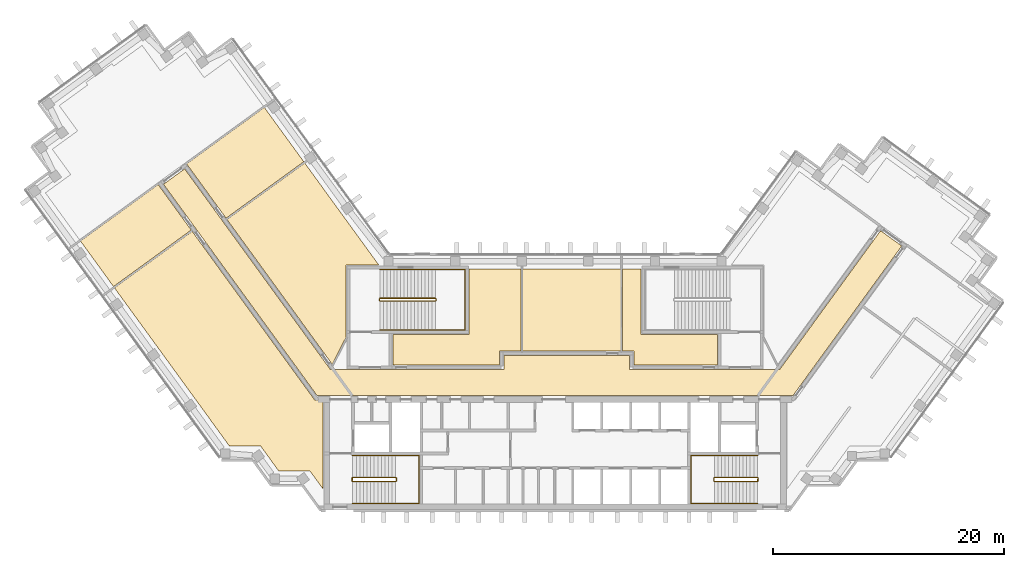
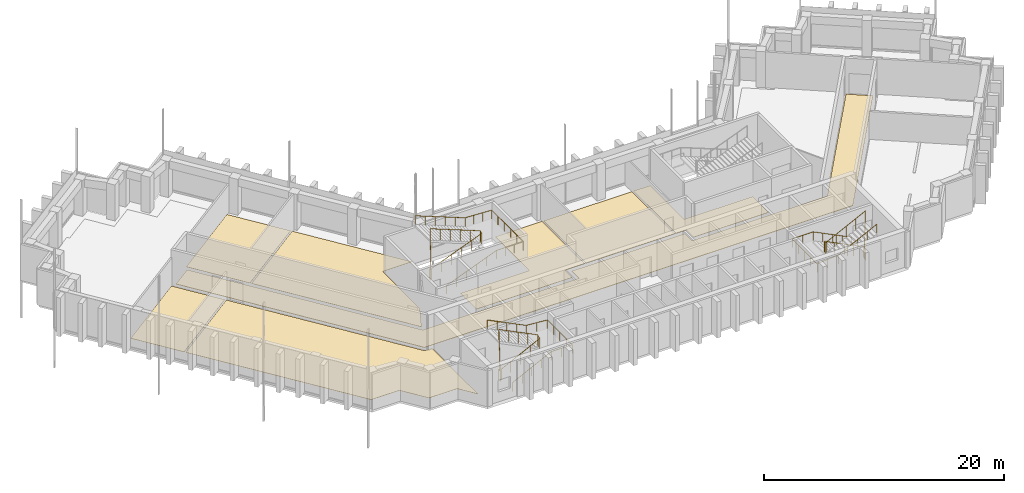
# One storey, part 11 of 12: 8 coverings, 6 railings.
"""IFC4 building model written with IfcOpenShell, lengths in metres."""

from ifc_helpers import new_model, si_unit, direction, frame, origin, origin_2d, place, context, subcontext, project, spatial, polyline, circle, outline, extrude, material, layer, layer_set, type_object, element, save


model = new_model("IFC4")

# Units and contexts
model_context = context("Model", 3, precision=1e-05, world=origin(), true_north=direction((0.0, 1.0)))
body_context = subcontext(model_context, "Body", "Model", "MODEL_VIEW")
ifc_project = project(units=[si_unit("LENGTHUNIT", "METRE"), si_unit("AREAUNIT", "SQUARE_METRE"), si_unit("VOLUMEUNIT", "CUBIC_METRE"), si_unit("PLANEANGLEUNIT", "RADIAN"), si_unit("MASSUNIT", "GRAM", prefix="KILO")], contexts=[model_context])

# Site, building, storey
site_placement = place(None, origin())
site = spatial("IfcSite", under=ifc_project, at=site_placement, CompositionType="ELEMENT")
building_placement = place(site_placement, origin())
building = spatial("IfcBuilding", under=site, at=building_placement, Name="Quipu Civic Tower", CompositionType="ELEMENT")
storey_placement = place(building_placement, frame((0.0, 0.0, 210.0)))
storey = spatial("IfcBuildingStorey", under=building, at=storey_placement, Name="L49", CompositionType="ELEMENT", Elevation=210.0)

# Coverings
ifc_material_1 = material(Name="Carpet tile on raised access floor")
ifc_layer_1 = layer(ifc_material_1, 0.02001953125)
ifc_layer_set_1 = layer_set([ifc_layer_1], Name="Carpet tile on raised access floor")
covering_type_1 = type_object("IfcCoveringType", Name="Carpet tile floor finish 20", PredefinedType="FLOORING", material=ifc_layer_set_1)
covering_1_placement = place(storey_placement, origin())
element("IfcCovering", 1, at=covering_1_placement, inside=storey, type_object=covering_type_1, Name="Carpet tile floor finish 20", PredefinedType="FLOORING", context=body_context, shape_type="SweptSolid", body=[
    extrude(outline(polyline([(-2.80908203125, 2.719970703125), (-2.80908203125, 9.830078125), (5.68798828125, 9.830078125), (5.68798828125, 2.719970703125), (-2.80908203125, 2.719970703125)])), origin(), (0.0, 0.0, 1.0), 0.02001953125),
])
covering_2_placement = place(storey_placement, origin())
element("IfcCovering", 2, at=covering_2_placement, inside=storey, type_object=covering_type_1, Name="Carpet tile floor finish 20", PredefinedType="FLOORING", context=body_context, shape_type="SweptSolid", body=[
    extrude(outline(polyline([(-28.37109375, 14.10888671875), (-21.64794921875, 18.992919921875), (-15.238037109375, 10.169921875), (-18.070068359375, 10.1689453125), (-18.070068359375, 3.94189453125), (-19.27197265625, 1.583984375), (-28.37109375, 14.10888671875)])), origin(), (0.0, 0.0, 1.0), 0.02001953125),
])
covering_3_placement = place(storey_placement, origin())
element("IfcCovering", 3, at=covering_3_placement, inside=storey, type_object=covering_type_1, Name="Carpet tile floor finish 20", PredefinedType="FLOORING", context=body_context, shape_type="SweptSolid", body=[
    extrude(outline(polyline([(-31.865966796875, 18.9189453125), (-25.14306640625, 23.802978515625), (-21.73095703125, 19.10595703125), (-28.4541015625, 14.221923828125), (-31.865966796875, 18.9189453125)])), origin(), (0.0, 0.0, 1.0), 0.02001953125),
])
covering_4_placement = place(storey_placement, origin())
element("IfcCovering", 4, at=covering_4_placement, inside=storey, type_object=covering_type_1, Name="Carpet tile floor finish 20", PredefinedType="FLOORING", context=body_context, shape_type="SweptSolid", body=[
    extrude(outline(polyline([(-38.10693359375, 8.198974609375), (-31.383056640625, 13.08203125), (-20.77490234375, -1.51904296875), (-20.070068359375, -1.52001953125), (-20.070068359375, -9.195068359375), (-21.196044921875, -7.64599609375), (-23.89501953125, -7.64599609375), (-25.48193359375, -5.4619140625), (-28.181884765625, -5.4609375), (-38.10693359375, 8.198974609375)])), origin(), (0.0, 0.0, 1.0), 0.02001953125),
])
covering_5_placement = place(storey_placement, origin())
element("IfcCovering", 5, at=covering_5_placement, inside=storey, type_object=covering_type_1, Name="Carpet tile floor finish 20", PredefinedType="FLOORING", context=body_context, shape_type="SweptSolid", body=[
    extrude(outline(polyline([(-41.048095703125, 12.2470703125), (-34.324951171875, 17.131103515625), (-31.466064453125, 13.195068359375), (-38.18994140625, 8.31201171875), (-41.048095703125, 12.2470703125)])), origin(), (0.0, 0.0, 1.0), 0.02001953125),
])
ifc_material_2 = material(Name="Ceramic floor tile")
ifc_layer_2 = layer(ifc_material_2, 0.030029296875)
ifc_layer_set_2 = layer_set([ifc_layer_2], Name="Ceramic floor tile")
covering_type_2 = type_object("IfcCoveringType", Name="Ceramic tile floor finish 30", PredefinedType="FLOORING", material=ifc_layer_set_2)
covering_6_placement = place(storey_placement, origin())
element("IfcCovering", 6, at=covering_6_placement, inside=storey, type_object=covering_type_2, Name="Ceramic tile floor finish 30", PredefinedType="FLOORING", context=body_context, shape_type="SweptSolid", body=[
    extrude(outline(polyline([(-14.030029296875, 1.52001953125), (-14.030029296875, 4.179931640625), (-7.429931640625, 4.180908203125), (-7.429931640625, 9.830078125), (-2.948974609375, 9.830078125), (-2.948974609375, 2.719970703125), (-4.819091796875, 2.719970703125), (-4.820068359375, 1.52001953125), (-14.030029296875, 1.52001953125)])), origin(), (0.0, 0.0, 1.0), 0.030029296875),
])
covering_7_placement = place(storey_placement, origin())
element("IfcCovering", 7, at=covering_7_placement, inside=storey, type_object=covering_type_2, Name="Ceramic tile floor finish 30", PredefinedType="FLOORING", context=body_context, shape_type="SweptSolid", body=[
    extrude(outline(polyline([(5.827880859375, 2.719970703125), (5.827880859375, 9.830078125), (7.429931640625, 9.830078125), (7.430908203125, 4.179931640625), (14.030029296875, 4.179931640625), (14.030029296875, 1.52001953125), (6.820068359375, 1.52001953125), (6.820068359375, 2.718994140625), (5.827880859375, 2.719970703125)])), origin(), (0.0, 0.0, 1.0), 0.030029296875),
])

# Railings
ifc_material_3 = material(Name="Stainless steel", Category="steel")
railing_type_1 = type_object("IfcRailingType", Name="Stair guard 1100", PredefinedType="GUARDRAIL", material=ifc_material_3)
railing_1_placement = place(storey_placement, frame((-17.5, -8.550048828125, 0.15380859375)))
element("IfcRailing", 8, at=railing_1_placement, inside=storey, type_object=railing_type_1, Name="Stair 1 guard", PredefinedType="GUARDRAIL", context=body_context, shape_type="SweptSolid", body=[
    extrude(circle(Radius=0.02392578125, at=origin_2d()), frame((0.0, 0.0, 1.076171875), z_axis=(0.895751851347, 0.0, 0.444554407028), x_axis=(0.0, 1.0, 0.0)), (0.0, 0.0, 1.0), 4.15283203125),
    extrude(circle(Radius=0.02392578125, at=origin_2d()), frame((3.719970703125, 0.0, 2.92236328125), z_axis=(0.707106781187, 0.707106781187, 0.0), x_axis=(-0.707106781187, 0.707106781187, 0.0)), (0.0, 0.0, 1.0), 0.07080078125),
    extrude(circle(Radius=0.02392578125, at=origin_2d()), frame((3.77001953125, 0.050048828125, 2.92236328125), z_axis=(0.0, 1.0, 0.0), x_axis=(-1.0, 0.0, 0.0)), (0.0, 0.0, 1.0), 0.25),
    extrude(circle(Radius=0.02392578125, at=origin_2d()), frame((3.77001953125, 0.300048828125, 2.92236328125), z_axis=(-0.295599637079, 0.295599637079, 0.908428152975), x_axis=(-0.707106781187, -0.707106781187, 0.0)), (0.0, 0.0, 1.0), 0.16943359375),
    extrude(circle(Radius=0.02392578125, at=origin_2d()), frame((3.719970703125, 0.35009765625, 3.076171875), z_axis=(-0.895751851347, 0.0, 0.444554407028), x_axis=(0.0, -1.0, 0.0)), (0.0, 0.0, 1.0), 4.15283203125),
    extrude(circle(Radius=0.02392578125, at=origin_2d()), frame((0.0, 0.35009765625, 4.92236328125), z_axis=(-0.012476181752, -0.074796231092, -0.997120789425), x_axis=(0.986372223864, -0.164529134168, 0.0)), (0.0, 0.0, 1.0), 4.011474609375),
    extrude(circle(Radius=0.02392578125, at=origin_2d()), frame((-0.050048828125, 0.050048828125, 0.92236328125), z_axis=(0.0, 1.0, 0.0), x_axis=(-1.0, 0.0, 0.0)), (0.0, 0.0, 1.0), 0.25),
    extrude(circle(Radius=0.02099609375, at=origin_2d()), origin(), (0.0, 0.0, 1.0), 1.052001953125),
    extrude(circle(Radius=0.02099609375, at=origin_2d()), frame((0.929931640625, 0.0, 0.46142578125)), (0.0, 0.0, 1.0), 1.052001953125),
    extrude(circle(Radius=0.02099609375, at=origin_2d()), frame((1.85986328125, 0.0, 0.923095703125)), (0.0, 0.0, 1.0), 1.052001953125),
    extrude(circle(Radius=0.02099609375, at=origin_2d()), frame((2.7900390625, 0.0, 1.384765625)), (0.0, 0.0, 1.0), 1.052001953125),
    extrude(circle(Radius=0.02099609375, at=origin_2d()), frame((3.719970703125, 0.0, 1.84619140625)), (0.0, 0.0, 1.0), 1.052001953125),
    extrude(circle(Radius=0.02099609375, at=origin_2d()), frame((3.77001953125, 0.050048828125, 1.84619140625)), (0.0, 0.0, 1.0), 1.052001953125),
    extrude(circle(Radius=0.02099609375, at=origin_2d()), frame((3.77001953125, 0.300048828125, 1.84619140625)), (0.0, 0.0, 1.0), 1.052001953125),
    extrude(circle(Radius=0.02099609375, at=origin_2d()), frame((3.719970703125, 0.35009765625, 2.0)), (0.0, 0.0, 1.0), 1.052001953125),
    extrude(circle(Radius=0.02099609375, at=origin_2d()), frame((2.7900390625, 0.35009765625, 2.46142578125)), (0.0, 0.0, 1.0), 1.052001953125),
    extrude(circle(Radius=0.02099609375, at=origin_2d()), frame((1.85986328125, 0.35009765625, 2.923095703125)), (0.0, 0.0, 1.0), 1.052001953125),
    extrude(circle(Radius=0.02099609375, at=origin_2d()), frame((0.929931640625, 0.35009765625, 3.384765625)), (0.0, 0.0, 1.0), 1.052001953125),
    extrude(circle(Radius=0.02099609375, at=origin_2d()), frame((0.0, 0.35009765625, 3.84619140625)), (0.0, 0.0, 1.0), 1.052001953125),
    extrude(circle(Radius=0.02099609375, at=origin_2d()), frame((-0.012451171875, 0.275146484375, 2.84619140625)), (0.0, 0.0, 1.0), 1.052001953125),
    extrude(circle(Radius=0.02099609375, at=origin_2d()), frame((-0.02490234375, 0.2001953125, 1.84619140625)), (0.0, 0.0, 1.0), 1.052001953125),
    extrude(circle(Radius=0.02099609375, at=origin_2d()), frame((-0.03759765625, 0.125, 0.84619140625)), (0.0, 0.0, 1.0), 1.052001953125),
    extrude(circle(Radius=0.02099609375, at=origin_2d()), frame((-0.050048828125, 0.050048828125, -0.15380859375)), (0.0, 0.0, 1.0), 1.052001953125),
    extrude(circle(Radius=0.02099609375, at=origin_2d()), frame((-0.050048828125, 0.300048828125, -0.15380859375)), (0.0, 0.0, 1.0), 1.052001953125),
])
railing_2_placement = place(storey_placement, frame((17.5, -8.199951171875, 0.15380859375)))
element("IfcRailing", 9, at=railing_2_placement, inside=storey, type_object=railing_type_1, Name="Stair 2 guard", PredefinedType="GUARDRAIL", context=body_context, shape_type="SweptSolid", body=[
    extrude(circle(Radius=0.02392578125, at=origin_2d()), frame((0.0, 0.0, 1.076171875), z_axis=(-0.895751851347, 0.0, 0.444554407028), x_axis=(0.0, -1.0, 0.0)), (0.0, 0.0, 1.0), 4.15283203125),
    extrude(circle(Radius=0.02392578125, at=origin_2d()), frame((-3.719970703125, 0.0, 2.92236328125), z_axis=(-0.707106781187, -0.707106781187, 0.0), x_axis=(0.707106781187, -0.707106781187, 0.0)), (0.0, 0.0, 1.0), 0.07080078125),
    extrude(circle(Radius=0.02392578125, at=origin_2d()), frame((-3.77001953125, -0.050048828125, 2.92236328125), z_axis=(0.0, -1.0, 0.0), x_axis=(1.0, 0.0, 0.0)), (0.0, 0.0, 1.0), 0.25),
    extrude(circle(Radius=0.02392578125, at=origin_2d()), frame((-3.77001953125, -0.300048828125, 2.92236328125), z_axis=(0.295599637079, -0.295599637079, 0.908428152975), x_axis=(0.707106781187, 0.707106781187, 0.0)), (0.0, 0.0, 1.0), 0.16943359375),
    extrude(circle(Radius=0.02392578125, at=origin_2d()), frame((-3.719970703125, -0.35009765625, 3.076171875), z_axis=(0.895751851347, 0.0, 0.444554407028), x_axis=(0.0, 1.0, 0.0)), (0.0, 0.0, 1.0), 4.15283203125),
    extrude(circle(Radius=0.02392578125, at=origin_2d()), frame((0.0, -0.35009765625, 4.92236328125), z_axis=(0.012476181752, 0.074796231092, -0.997120789425), x_axis=(-0.986372223864, 0.164529134168, 0.0)), (0.0, 0.0, 1.0), 4.011474609375),
    extrude(circle(Radius=0.02392578125, at=origin_2d()), frame((0.050048828125, -0.050048828125, 0.92236328125), z_axis=(0.0, -1.0, 0.0), x_axis=(1.0, 0.0, 0.0)), (0.0, 0.0, 1.0), 0.25),
    extrude(circle(Radius=0.02099609375, at=origin_2d()), origin(), (0.0, 0.0, 1.0), 1.052001953125),
    extrude(circle(Radius=0.02099609375, at=origin_2d()), frame((-0.929931640625, 0.0, 0.46142578125)), (0.0, 0.0, 1.0), 1.052001953125),
    extrude(circle(Radius=0.02099609375, at=origin_2d()), frame((-1.85986328125, 0.0, 0.923095703125)), (0.0, 0.0, 1.0), 1.052001953125),
    extrude(circle(Radius=0.02099609375, at=origin_2d()), frame((-2.7900390625, 0.0, 1.384765625)), (0.0, 0.0, 1.0), 1.052001953125),
    extrude(circle(Radius=0.02099609375, at=origin_2d()), frame((-3.719970703125, 0.0, 1.84619140625)), (0.0, 0.0, 1.0), 1.052001953125),
    extrude(circle(Radius=0.02099609375, at=origin_2d()), frame((-3.77001953125, -0.050048828125, 1.84619140625)), (0.0, 0.0, 1.0), 1.052001953125),
    extrude(circle(Radius=0.02099609375, at=origin_2d()), frame((-3.77001953125, -0.300048828125, 1.84619140625)), (0.0, 0.0, 1.0), 1.052001953125),
    extrude(circle(Radius=0.02099609375, at=origin_2d()), frame((-3.719970703125, -0.35009765625, 2.0)), (0.0, 0.0, 1.0), 1.052001953125),
    extrude(circle(Radius=0.02099609375, at=origin_2d()), frame((-2.7900390625, -0.35009765625, 2.46142578125)), (0.0, 0.0, 1.0), 1.052001953125),
    extrude(circle(Radius=0.02099609375, at=origin_2d()), frame((-1.85986328125, -0.35009765625, 2.923095703125)), (0.0, 0.0, 1.0), 1.052001953125),
    extrude(circle(Radius=0.02099609375, at=origin_2d()), frame((-0.929931640625, -0.35009765625, 3.384765625)), (0.0, 0.0, 1.0), 1.052001953125),
    extrude(circle(Radius=0.02099609375, at=origin_2d()), frame((0.0, -0.35009765625, 3.84619140625)), (0.0, 0.0, 1.0), 1.052001953125),
    extrude(circle(Radius=0.02099609375, at=origin_2d()), frame((0.012451171875, -0.275146484375, 2.84619140625)), (0.0, 0.0, 1.0), 1.052001953125),
    extrude(circle(Radius=0.02099609375, at=origin_2d()), frame((0.02490234375, -0.2001953125, 1.84619140625)), (0.0, 0.0, 1.0), 1.052001953125),
    extrude(circle(Radius=0.02099609375, at=origin_2d()), frame((0.03759765625, -0.125, 0.84619140625)), (0.0, 0.0, 1.0), 1.052001953125),
    extrude(circle(Radius=0.02099609375, at=origin_2d()), frame((0.050048828125, -0.050048828125, -0.15380859375)), (0.0, 0.0, 1.0), 1.052001953125),
    extrude(circle(Radius=0.02099609375, at=origin_2d()), frame((0.050048828125, -0.300048828125, -0.15380859375)), (0.0, 0.0, 1.0), 1.052001953125),
])
railing_3_placement = place(storey_placement, frame((-15.14990234375, 7.050048828125, 0.11767578125)))
element("IfcRailing", 10, at=railing_3_placement, inside=storey, type_object=railing_type_1, Name="Stair 3 guard", PredefinedType="GUARDRAIL", context=body_context, shape_type="SweptSolid", body=[
    extrude(circle(Radius=0.02392578125, at=origin_2d()), frame((0.0, 0.0, 1.076171875), z_axis=(0.930970042603, 0.0, 0.365095576219), x_axis=(0.0, 1.0, 0.0)), (0.0, 0.0, 1.0), 5.15576171875),
    extrude(circle(Radius=0.02392578125, at=origin_2d()), frame((4.7998046875, 0.0, 2.95849609375), z_axis=(0.707106781187, 0.707106781187, 0.0), x_axis=(-0.707106781187, 0.707106781187, 0.0)), (0.0, 0.0, 1.0), 0.07080078125),
    extrude(circle(Radius=0.02392578125, at=origin_2d()), frame((4.849853515625, 0.050048828125, 2.95849609375), z_axis=(0.0, 1.0, 0.0), x_axis=(-1.0, 0.0, 0.0)), (0.0, 0.0, 1.0), 0.14990234375),
    extrude(circle(Radius=0.02392578125, at=origin_2d()), frame((4.849853515625, 0.199951171875, 2.95849609375), z_axis=(-0.364463019033, 0.364463019033, 0.856932561824), x_axis=(-0.707106781187, -0.707106781187, 0.0)), (0.0, 0.0, 1.0), 0.13720703125),
    extrude(circle(Radius=0.02392578125, at=origin_2d()), frame((4.7998046875, 0.25, 3.076171875), z_axis=(-0.930970042603, 0.0, 0.365095576219), x_axis=(0.0, -1.0, 0.0)), (0.0, 0.0, 1.0), 5.15576171875),
    extrude(circle(Radius=0.02392578125, at=origin_2d()), frame((0.0, 0.25, 4.95849609375), z_axis=(-0.012495627992, -0.049921557685, -0.998674970829), x_axis=(0.970072785993, -0.242814311512, 0.0)), (0.0, 0.0, 1.0), 4.00537109375),
    extrude(circle(Radius=0.02392578125, at=origin_2d()), frame((-0.050048828125, 0.050048828125, 0.95849609375), z_axis=(0.0, 1.0, 0.0), x_axis=(-1.0, 0.0, 0.0)), (0.0, 0.0, 1.0), 0.14990234375),
    extrude(circle(Radius=0.02099609375, at=origin_2d()), origin(), (0.0, 0.0, 1.0), 1.052001953125),
    extrude(circle(Radius=0.02099609375, at=origin_2d()), frame((0.9599609375, 0.0, 0.37646484375)), (0.0, 0.0, 1.0), 1.052001953125),
    extrude(circle(Radius=0.02099609375, at=origin_2d()), frame((1.919921875, 0.0, 0.7529296875)), (0.0, 0.0, 1.0), 1.052001953125),
    extrude(circle(Radius=0.02099609375, at=origin_2d()), frame((2.8798828125, 0.0, 1.12939453125)), (0.0, 0.0, 1.0), 1.052001953125),
    extrude(circle(Radius=0.02099609375, at=origin_2d()), frame((3.83984375, 0.0, 1.505859375)), (0.0, 0.0, 1.0), 1.052001953125),
    extrude(circle(Radius=0.02099609375, at=origin_2d()), frame((4.7998046875, 0.0, 1.88232421875)), (0.0, 0.0, 1.0), 1.052001953125),
    extrude(circle(Radius=0.02099609375, at=origin_2d()), frame((4.849853515625, 0.050048828125, 1.88232421875)), (0.0, 0.0, 1.0), 1.052001953125),
    extrude(circle(Radius=0.02099609375, at=origin_2d()), frame((4.849853515625, 0.199951171875, 1.88232421875)), (0.0, 0.0, 1.0), 1.052001953125),
    extrude(circle(Radius=0.02099609375, at=origin_2d()), frame((4.7998046875, 0.25, 2.0)), (0.0, 0.0, 1.0), 1.052001953125),
    extrude(circle(Radius=0.02099609375, at=origin_2d()), frame((3.83984375, 0.25, 2.37646484375)), (0.0, 0.0, 1.0), 1.052001953125),
    extrude(circle(Radius=0.02099609375, at=origin_2d()), frame((2.8798828125, 0.25, 2.7529296875)), (0.0, 0.0, 1.0), 1.052001953125),
    extrude(circle(Radius=0.02099609375, at=origin_2d()), frame((1.919921875, 0.25, 3.12939453125)), (0.0, 0.0, 1.0), 1.052001953125),
    extrude(circle(Radius=0.02099609375, at=origin_2d()), frame((0.9599609375, 0.25, 3.505859375)), (0.0, 0.0, 1.0), 1.052001953125),
    extrude(circle(Radius=0.02099609375, at=origin_2d()), frame((0.0, 0.25, 3.88232421875)), (0.0, 0.0, 1.0), 1.052001953125),
    extrude(circle(Radius=0.02099609375, at=origin_2d()), frame((-0.012451171875, 0.199951171875, 2.88232421875)), (0.0, 0.0, 1.0), 1.052001953125),
    extrude(circle(Radius=0.02099609375, at=origin_2d()), frame((-0.02490234375, 0.14990234375, 1.88232421875)), (0.0, 0.0, 1.0), 1.052001953125),
    extrude(circle(Radius=0.02099609375, at=origin_2d()), frame((-0.03759765625, 0.10009765625, 0.88232421875)), (0.0, 0.0, 1.0), 1.052001953125),
    extrude(circle(Radius=0.02099609375, at=origin_2d()), frame((-0.050048828125, 0.050048828125, -0.11767578125)), (0.0, 0.0, 1.0), 1.052001953125),
    extrude(circle(Radius=0.02099609375, at=origin_2d()), frame((-0.050048828125, 0.199951171875, -0.11767578125)), (0.0, 0.0, 1.0), 1.052001953125),
])
ifc_material_4 = material(Name="Stainless steel", Category="steel")
railing_type_2 = type_object("IfcRailingType", Name="Stair handrail", PredefinedType="HANDRAIL", material=ifc_material_4)
railing_4_placement = place(storey_placement, frame((-17.5, -10.449951171875, 0.15380859375)))
element("IfcRailing", 11, at=railing_4_placement, inside=storey, type_object=railing_type_2, Name="Stair 1 handrail", PredefinedType="HANDRAIL", context=body_context, shape_type="SweptSolid", body=[
    extrude(circle(Radius=0.02392578125, at=origin_2d()), frame((0.0, 0.0, 0.8759765625), z_axis=(0.895751851347, 0.0, 0.444554407028), x_axis=(0.0, 1.0, 0.0)), (0.0, 0.0, 1.0), 4.15283203125),
    extrude(circle(Radius=0.02392578125, at=origin_2d()), frame((3.719970703125, 0.0, 2.72216796875), z_axis=(1.0, 0.0, 0.0), x_axis=(0.0, 1.0, 0.0)), (0.0, 0.0, 1.0), 2.030029296875),
    extrude(circle(Radius=0.02392578125, at=origin_2d()), frame((5.75, 0.0, 2.72216796875), z_axis=(0.0, 1.0, 0.0), x_axis=(-1.0, 0.0, 0.0)), (0.0, 0.0, 1.0), 4.14990234375),
    extrude(circle(Radius=0.02392578125, at=origin_2d()), frame((5.75, 4.14990234375, 2.72216796875), z_axis=(-0.997142003663, 0.0, 0.075550145798), x_axis=(0.0, -1.0, 0.0)), (0.0, 0.0, 1.0), 2.035888671875),
    extrude(circle(Radius=0.02392578125, at=origin_2d()), frame((3.719970703125, 4.14990234375, 2.8759765625), z_axis=(-0.895751851347, 0.0, 0.444554407028), x_axis=(0.0, -1.0, 0.0)), (0.0, 0.0, 1.0), 4.15283203125),
    extrude(circle(Radius=0.02099609375, at=origin_2d()), origin(), (0.0, 0.0, 1.0), 0.851806640625),
    extrude(circle(Radius=0.02099609375, at=origin_2d()), frame((0.929931640625, 0.0, 0.46142578125)), (0.0, 0.0, 1.0), 0.851806640625),
    extrude(circle(Radius=0.02099609375, at=origin_2d()), frame((1.85986328125, 0.0, 0.923095703125)), (0.0, 0.0, 1.0), 0.851806640625),
    extrude(circle(Radius=0.02099609375, at=origin_2d()), frame((2.7900390625, 0.0, 1.384765625)), (0.0, 0.0, 1.0), 0.851806640625),
    extrude(circle(Radius=0.02099609375, at=origin_2d()), frame((3.719970703125, 0.0, 1.84619140625)), (0.0, 0.0, 1.0), 0.851806640625),
    extrude(circle(Radius=0.02099609375, at=origin_2d()), frame((4.73486328125, 0.0, 1.84619140625)), (0.0, 0.0, 1.0), 0.851806640625),
    extrude(circle(Radius=0.02099609375, at=origin_2d()), frame((5.75, 0.0, 1.84619140625)), (0.0, 0.0, 1.0), 0.851806640625),
    extrude(circle(Radius=0.02099609375, at=origin_2d()), frame((5.75, 1.03759765625, 1.84619140625)), (0.0, 0.0, 1.0), 0.851806640625),
    extrude(circle(Radius=0.02099609375, at=origin_2d()), frame((5.75, 2.074951171875, 1.84619140625)), (0.0, 0.0, 1.0), 0.851806640625),
    extrude(circle(Radius=0.02099609375, at=origin_2d()), frame((5.75, 3.1123046875, 1.84619140625)), (0.0, 0.0, 1.0), 0.851806640625),
    extrude(circle(Radius=0.02099609375, at=origin_2d()), frame((5.75, 4.14990234375, 1.84619140625)), (0.0, 0.0, 1.0), 0.851806640625),
    extrude(circle(Radius=0.02099609375, at=origin_2d()), frame((4.73486328125, 4.14990234375, 1.923095703125)), (0.0, 0.0, 1.0), 0.851806640625),
    extrude(circle(Radius=0.02099609375, at=origin_2d()), frame((3.719970703125, 4.14990234375, 2.0)), (0.0, 0.0, 1.0), 0.851806640625),
    extrude(circle(Radius=0.02099609375, at=origin_2d()), frame((2.7900390625, 4.14990234375, 2.46142578125)), (0.0, 0.0, 1.0), 0.851806640625),
    extrude(circle(Radius=0.02099609375, at=origin_2d()), frame((1.85986328125, 4.14990234375, 2.923095703125)), (0.0, 0.0, 1.0), 0.851806640625),
    extrude(circle(Radius=0.02099609375, at=origin_2d()), frame((0.929931640625, 4.14990234375, 3.384765625)), (0.0, 0.0, 1.0), 0.851806640625),
    extrude(circle(Radius=0.02099609375, at=origin_2d()), frame((0.0, 4.14990234375, 3.84619140625)), (0.0, 0.0, 1.0), 0.851806640625),
])
railing_5_placement = place(storey_placement, frame((17.5, -6.300048828125, 0.15380859375)))
element("IfcRailing", 12, at=railing_5_placement, inside=storey, type_object=railing_type_2, Name="Stair 2 handrail", PredefinedType="HANDRAIL", context=body_context, shape_type="SweptSolid", body=[
    extrude(circle(Radius=0.02392578125, at=origin_2d()), frame((0.0, 0.0, 0.8759765625), z_axis=(-0.895751851347, 0.0, 0.444554407028), x_axis=(0.0, -1.0, 0.0)), (0.0, 0.0, 1.0), 4.15283203125),
    extrude(circle(Radius=0.02392578125, at=origin_2d()), frame((-3.719970703125, 0.0, 2.72216796875), z_axis=(-1.0, 0.0, 0.0), x_axis=(0.0, -1.0, 0.0)), (0.0, 0.0, 1.0), 2.030029296875),
    extrude(circle(Radius=0.02392578125, at=origin_2d()), frame((-5.75, 0.0, 2.72216796875), z_axis=(0.0, -1.0, 0.0), x_axis=(1.0, 0.0, 0.0)), (0.0, 0.0, 1.0), 4.14990234375),
    extrude(circle(Radius=0.02392578125, at=origin_2d()), frame((-5.75, -4.14990234375, 2.72216796875), z_axis=(0.997142003663, 0.0, 0.075550145798), x_axis=(0.0, 1.0, 0.0)), (0.0, 0.0, 1.0), 2.035888671875),
    extrude(circle(Radius=0.02392578125, at=origin_2d()), frame((-3.719970703125, -4.14990234375, 2.8759765625), z_axis=(0.895751851347, 0.0, 0.444554407028), x_axis=(0.0, 1.0, 0.0)), (0.0, 0.0, 1.0), 4.15283203125),
    extrude(circle(Radius=0.02099609375, at=origin_2d()), origin(), (0.0, 0.0, 1.0), 0.851806640625),
    extrude(circle(Radius=0.02099609375, at=origin_2d()), frame((-0.929931640625, 0.0, 0.46142578125)), (0.0, 0.0, 1.0), 0.851806640625),
    extrude(circle(Radius=0.02099609375, at=origin_2d()), frame((-1.85986328125, 0.0, 0.923095703125)), (0.0, 0.0, 1.0), 0.851806640625),
    extrude(circle(Radius=0.02099609375, at=origin_2d()), frame((-2.7900390625, 0.0, 1.384765625)), (0.0, 0.0, 1.0), 0.851806640625),
    extrude(circle(Radius=0.02099609375, at=origin_2d()), frame((-3.719970703125, 0.0, 1.84619140625)), (0.0, 0.0, 1.0), 0.851806640625),
    extrude(circle(Radius=0.02099609375, at=origin_2d()), frame((-4.73486328125, 0.0, 1.84619140625)), (0.0, 0.0, 1.0), 0.851806640625),
    extrude(circle(Radius=0.02099609375, at=origin_2d()), frame((-5.75, 0.0, 1.84619140625)), (0.0, 0.0, 1.0), 0.851806640625),
    extrude(circle(Radius=0.02099609375, at=origin_2d()), frame((-5.75, -1.03759765625, 1.84619140625)), (0.0, 0.0, 1.0), 0.851806640625),
    extrude(circle(Radius=0.02099609375, at=origin_2d()), frame((-5.75, -2.074951171875, 1.84619140625)), (0.0, 0.0, 1.0), 0.851806640625),
    extrude(circle(Radius=0.02099609375, at=origin_2d()), frame((-5.75, -3.1123046875, 1.84619140625)), (0.0, 0.0, 1.0), 0.851806640625),
    extrude(circle(Radius=0.02099609375, at=origin_2d()), frame((-5.75, -4.14990234375, 1.84619140625)), (0.0, 0.0, 1.0), 0.851806640625),
    extrude(circle(Radius=0.02099609375, at=origin_2d()), frame((-4.73486328125, -4.14990234375, 1.923095703125)), (0.0, 0.0, 1.0), 0.851806640625),
    extrude(circle(Radius=0.02099609375, at=origin_2d()), frame((-3.719970703125, -4.14990234375, 2.0)), (0.0, 0.0, 1.0), 0.851806640625),
    extrude(circle(Radius=0.02099609375, at=origin_2d()), frame((-2.7900390625, -4.14990234375, 2.46142578125)), (0.0, 0.0, 1.0), 0.851806640625),
    extrude(circle(Radius=0.02099609375, at=origin_2d()), frame((-1.85986328125, -4.14990234375, 2.923095703125)), (0.0, 0.0, 1.0), 0.851806640625),
    extrude(circle(Radius=0.02099609375, at=origin_2d()), frame((-0.929931640625, -4.14990234375, 3.384765625)), (0.0, 0.0, 1.0), 0.851806640625),
    extrude(circle(Radius=0.02099609375, at=origin_2d()), frame((0.0, -4.14990234375, 3.84619140625)), (0.0, 0.0, 1.0), 0.851806640625),
])
railing_6_placement = place(storey_placement, frame((-15.14990234375, 4.550048828125, 0.11767578125)))
element("IfcRailing", 13, at=railing_6_placement, inside=storey, type_object=railing_type_2, Name="Stair 3 handrail", PredefinedType="HANDRAIL", context=body_context, shape_type="SweptSolid", body=[
    extrude(circle(Radius=0.02392578125, at=origin_2d()), frame((0.0, 0.0, 0.8759765625), z_axis=(0.930970042603, 0.0, 0.365095576219), x_axis=(0.0, 1.0, 0.0)), (0.0, 0.0, 1.0), 5.15576171875),
    extrude(circle(Radius=0.02392578125, at=origin_2d()), frame((4.7998046875, 0.0, 2.75830078125), z_axis=(1.0, 0.0, 0.0), x_axis=(0.0, 1.0, 0.0)), (0.0, 0.0, 1.0), 2.550048828125),
    extrude(circle(Radius=0.02392578125, at=origin_2d()), frame((7.349853515625, 0.0, 2.75830078125), z_axis=(0.0, 1.0, 0.0), x_axis=(-1.0, 0.0, 0.0)), (0.0, 0.0, 1.0), 5.25),
    extrude(circle(Radius=0.02392578125, at=origin_2d()), frame((7.349853515625, 5.25, 2.75830078125), z_axis=(-0.998936948642, 0.0, 0.04609742549), x_axis=(0.0, -1.0, 0.0)), (0.0, 0.0, 1.0), 2.552734375),
    extrude(circle(Radius=0.02392578125, at=origin_2d()), frame((4.7998046875, 5.25, 2.8759765625), z_axis=(-0.930970042603, 0.0, 0.365095576219), x_axis=(0.0, -1.0, 0.0)), (0.0, 0.0, 1.0), 5.15576171875),
    extrude(circle(Radius=0.02099609375, at=origin_2d()), origin(), (0.0, 0.0, 1.0), 0.851806640625),
    extrude(circle(Radius=0.02099609375, at=origin_2d()), frame((0.9599609375, 0.0, 0.37646484375)), (0.0, 0.0, 1.0), 0.851806640625),
    extrude(circle(Radius=0.02099609375, at=origin_2d()), frame((1.919921875, 0.0, 0.7529296875)), (0.0, 0.0, 1.0), 0.851806640625),
    extrude(circle(Radius=0.02099609375, at=origin_2d()), frame((2.8798828125, 0.0, 1.12939453125)), (0.0, 0.0, 1.0), 0.851806640625),
    extrude(circle(Radius=0.02099609375, at=origin_2d()), frame((3.83984375, 0.0, 1.505859375)), (0.0, 0.0, 1.0), 0.851806640625),
    extrude(circle(Radius=0.02099609375, at=origin_2d()), frame((4.7998046875, 0.0, 1.88232421875)), (0.0, 0.0, 1.0), 0.851806640625),
    extrude(circle(Radius=0.02099609375, at=origin_2d()), frame((5.64990234375, 0.0, 1.88232421875)), (0.0, 0.0, 1.0), 0.851806640625),
    extrude(circle(Radius=0.02099609375, at=origin_2d()), frame((6.499755859375, 0.0, 1.88232421875)), (0.0, 0.0, 1.0), 0.851806640625),
    extrude(circle(Radius=0.02099609375, at=origin_2d()), frame((7.349853515625, 0.0, 1.88232421875)), (0.0, 0.0, 1.0), 0.851806640625),
    extrude(circle(Radius=0.02099609375, at=origin_2d()), frame((7.349853515625, 1.050048828125, 1.88232421875)), (0.0, 0.0, 1.0), 0.851806640625),
    extrude(circle(Radius=0.02099609375, at=origin_2d()), frame((7.349853515625, 2.10009765625, 1.88232421875)), (0.0, 0.0, 1.0), 0.851806640625),
    extrude(circle(Radius=0.02099609375, at=origin_2d()), frame((7.349853515625, 3.14990234375, 1.88232421875)), (0.0, 0.0, 1.0), 0.851806640625),
    extrude(circle(Radius=0.02099609375, at=origin_2d()), frame((7.349853515625, 4.199951171875, 1.88232421875)), (0.0, 0.0, 1.0), 0.851806640625),
    extrude(circle(Radius=0.02099609375, at=origin_2d()), frame((7.349853515625, 5.25, 1.88232421875)), (0.0, 0.0, 1.0), 0.851806640625),
    extrude(circle(Radius=0.02099609375, at=origin_2d()), frame((6.499755859375, 5.25, 1.921630859375)), (0.0, 0.0, 1.0), 0.851806640625),
    extrude(circle(Radius=0.02099609375, at=origin_2d()), frame((5.64990234375, 5.25, 1.960693359375)), (0.0, 0.0, 1.0), 0.851806640625),
    extrude(circle(Radius=0.02099609375, at=origin_2d()), frame((4.7998046875, 5.25, 2.0)), (0.0, 0.0, 1.0), 0.851806640625),
    extrude(circle(Radius=0.02099609375, at=origin_2d()), frame((3.83984375, 5.25, 2.37646484375)), (0.0, 0.0, 1.0), 0.851806640625),
    extrude(circle(Radius=0.02099609375, at=origin_2d()), frame((2.8798828125, 5.25, 2.7529296875)), (0.0, 0.0, 1.0), 0.851806640625),
    extrude(circle(Radius=0.02099609375, at=origin_2d()), frame((1.919921875, 5.25, 3.12939453125)), (0.0, 0.0, 1.0), 0.851806640625),
    extrude(circle(Radius=0.02099609375, at=origin_2d()), frame((0.9599609375, 5.25, 3.505859375)), (0.0, 0.0, 1.0), 0.851806640625),
    extrude(circle(Radius=0.02099609375, at=origin_2d()), frame((0.0, 5.25, 3.88232421875)), (0.0, 0.0, 1.0), 0.851806640625),
])

# Covering
ifc_material_5 = material(Name="Terrazzo floor finish")
ifc_layer_3 = layer(ifc_material_5, 0.0400390625)
ifc_layer_set_3 = layer_set([ifc_layer_3], Name="Terrazzo floor finish")
covering_type_3 = type_object("IfcCoveringType", Name="Terrazzo floor finish 40", PredefinedType="FLOORING", material=ifc_layer_set_3)
covering_8_placement = place(storey_placement, origin())
element("IfcCovering", 14, at=covering_8_placement, inside=storey, type_object=covering_type_3, Name="Terrazzo floor finish 40", PredefinedType="FLOORING", context=body_context, shape_type="SweptSolid", body=[
    extrude(outline(polyline([(19.425048828125, 1.1298828125), (28.155029296875, 13.14697265625), (29.98291015625, 11.819091796875), (20.574951171875, -1.1298828125), (-20.574951171875, -1.1298828125), (-33.863037109375, 17.158935546875), (-32.033935546875, 18.487060546875), (-19.425048828125, 1.1298828125), (-4.429931640625, 1.1298828125), (-4.429931640625, 2.330078125), (6.429931640625, 2.330078125), (6.429931640625, 1.1298828125), (19.425048828125, 1.1298828125)])), origin(), (0.0, 0.0, 1.0), 0.0400390625),
])

save(model, "model.ifc")
